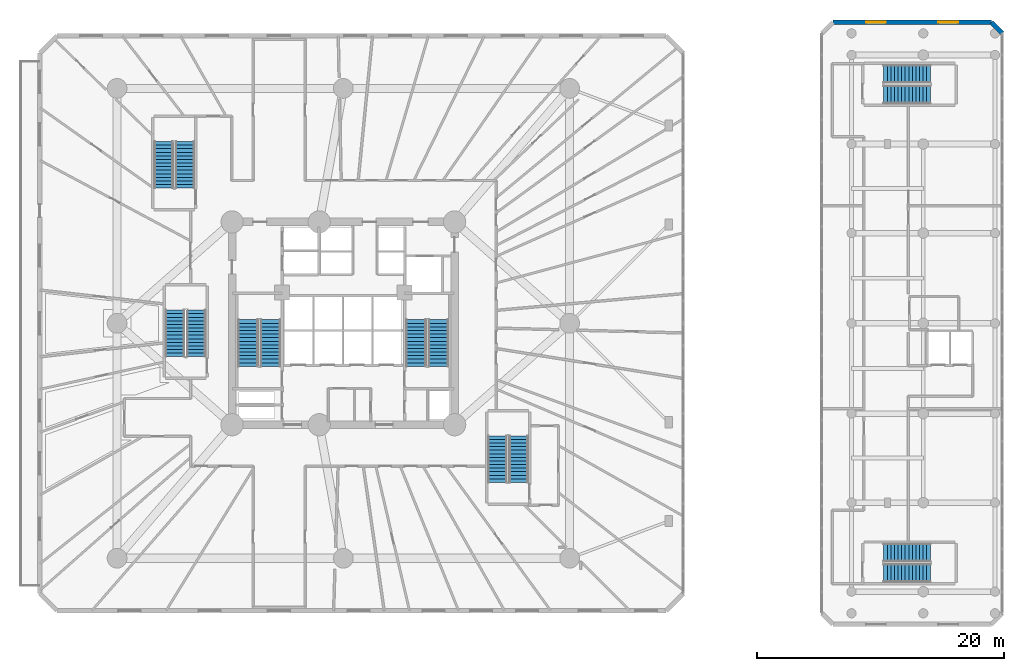
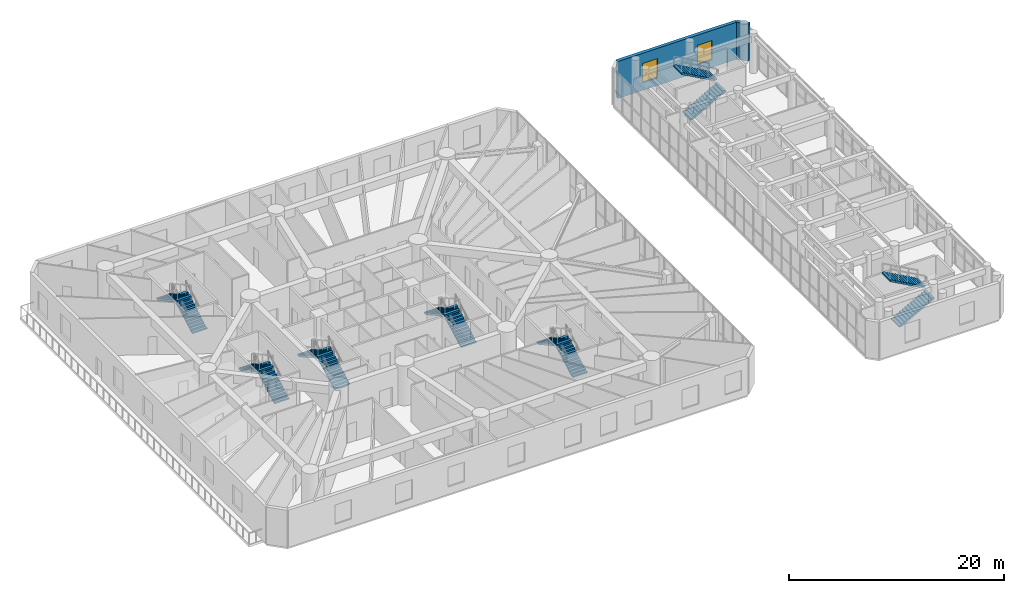
# One storey, part 20 of 26: 14 stair flights, 2 walls, 2 windows, 2 openings, 7 elements without a shape of their own.
"""IFC4 building model written with IfcOpenShell, lengths in metres."""

from ifc_helpers import new_model, si_unit, direction, frame, frame_2d, origin, origin_with_axes, place, context, subcontext, project, spatial, polyline, rectangle, outline, extrude, source, transform, mapped, material, layer, layer_set, type_object, element, fill, aggregate, save


model = new_model("IFC4")

# Units and contexts
model_context = context("Model", 3, precision=1e-05, world=origin(), true_north=direction((0.0, 1.0)))
body_context = subcontext(model_context, "Body", "Model", "MODEL_VIEW")
ifc_project = project(units=[si_unit("LENGTHUNIT", "METRE"), si_unit("AREAUNIT", "SQUARE_METRE"), si_unit("VOLUMEUNIT", "CUBIC_METRE"), si_unit("PLANEANGLEUNIT", "RADIAN"), si_unit("MASSUNIT", "GRAM", prefix="KILO")], contexts=[model_context])

# Site, building, storey
site_placement = place(None, origin())
site = spatial("IfcSite", under=ifc_project, at=site_placement, CompositionType="ELEMENT")
building_placement = place(site_placement, origin())
building = spatial("IfcBuilding", under=site, at=building_placement, Name="Karkom Vertical University and Central Library", CompositionType="ELEMENT")
storey_placement = place(building_placement, frame((0.0, 0.0, 9.0)))
storey = spatial("IfcBuildingStorey", under=building, at=storey_placement, Name="L02", CompositionType="ELEMENT", Elevation=9.0)

# Wall
ifc_material_1 = material(Name="Brick masonry 360mm insulated cavity", Category="masonry")
ifc_layer = layer(ifc_material_1, 0.360107421875)
ifc_layer_set = layer_set([ifc_layer], Name="Brick masonry 360mm insulated cavity")
wall_type = type_object("IfcWallType", Name="ENV-WL-BRK-360", PredefinedType="SOLIDWALL", material=ifc_layer_set)
wall_1_placement = place(storey_placement, frame((81.800048828125, 49.949951171875, 0.0), z_axis=(0.0, 0.0, 1.0), x_axis=(-0.707106781187, 0.707106781187, 0.0)))
element("IfcWall", 1, at=wall_1_placement, inside=storey, type_object=wall_type, Name="Level 02 LIB Terracotta Brick Facade Wall 04", PredefinedType="SOLIDWALL", context=body_context, shape_type="SweptSolid", body=[
    extrude(rectangle(XDim=1.27294921875, YDim=0.360107421875, at=frame_2d((0.636474609375, 0.0))), origin(), (0.0, 0.0, 1.0), 4.199951171875),
])

# Wall, openings, windows
wall_2_placement = place(storey_placement, frame((80.89990234375, 50.85009765625, 0.0), z_axis=(0.0, 0.0, 1.0), x_axis=(-1.0, 0.0, 0.0)))
wall_2 = element("IfcWall", 2, at=wall_2_placement, inside=storey, type_object=wall_type, Name="Level 02 LIB Terracotta Brick Facade Wall 05", PredefinedType="SOLIDWALL", context=body_context, shape_type="SweptSolid", body=[
    extrude(rectangle(XDim=12.7998046875, YDim=0.360107421875, at=frame_2d((6.39990234375, 0.0))), origin(), (0.0, 0.0, 1.0), 4.199951171875),
])
opening_1_placement = place(wall_2_placement, frame((2.675048828125, 0.0, 0.85009765625)))
opening_1 = element("IfcOpeningElement", 3, at=opening_1_placement, cuts=wall_2, Name="Opening WN-02", PredefinedType="OPENING", context=body_context, shape_type="SweptSolid", body=[
    extrude(rectangle(XDim=1.60009765625, YDim=2.199951171875, at=frame_2d((0.800048828125, 1.10009765625))), frame((0.0, 0.18994140625, 0.0), z_axis=(0.0, -1.0, 0.0), x_axis=(1.0, 0.0, 0.0)), (0.0, 0.0, 1.0), 0.380126953125),
])
opening_2_placement = place(wall_2_placement, frame((8.52490234375, 0.0, 0.85009765625)))
opening_2 = element("IfcOpeningElement", 4, at=opening_2_placement, cuts=wall_2, Name="Opening WN-02", PredefinedType="OPENING", context=body_context, shape_type="SweptSolid", body=[
    extrude(rectangle(XDim=1.60009765625, YDim=2.199951171875, at=frame_2d((0.800048828125, 1.10009765625))), frame((0.0, 0.18994140625, 0.0), z_axis=(0.0, -1.0, 0.0), x_axis=(1.0, 0.0, 0.0)), (0.0, 0.0, 1.0), 0.380126953125),
])
ifc_material_2 = material(Name="Aluminium thermal-break frame with solar-control IGU", Category="aluminium")
window_type = type_object("IfcWindowType", Name="ENV-WIN-WN-02", PartitioningType="SINGLE_PANEL", PredefinedType="WINDOW", material=ifc_material_2)
shared_shape = source(origin_with_axes(), body_context, "Body", "SweptSolid", [
    extrude(rectangle(XDim=1.60009765625, YDim=2.199951171875, at=frame_2d((0.800048828125, 1.10009765625))), frame((0.0, 0.030029296875, 0.0), z_axis=(0.0, -1.0, 0.0), x_axis=(1.0, 0.0, 0.0)), (0.0, 0.0, 1.0), 0.06005859375),
])
window_1_placement = place(opening_1_placement, origin())
window_1 = element("IfcWindow", 5, at=window_1_placement, inside=storey, type_object=window_type, Name="Level 02 LIB Punched Window 01", OverallHeight=2.199951171875, OverallWidth=1.60009765625, PartitioningType="SINGLE_PANEL", PredefinedType="WINDOW", context=body_context, shape_type="MappedRepresentation", body=[
    mapped(shared_shape, transform((0.0, 0.0, 0.0), scale=1.0)),
])
fill(opening_1, window_1)
window_2_placement = place(opening_2_placement, origin())
window_2 = element("IfcWindow", 6, at=window_2_placement, inside=storey, type_object=window_type, Name="Level 02 LIB Punched Window 02", OverallHeight=2.199951171875, OverallWidth=1.60009765625, PartitioningType="SINGLE_PANEL", PredefinedType="WINDOW", context=body_context, shape_type="MappedRepresentation", body=[
    mapped(shared_shape, transform((0.0, 0.0, 0.0), scale=1.0)),
])
fill(opening_2, window_2)

# Stair, stair flights
ifc_material_3 = material(Name="Concrete C45/55", Category="concrete")
stair_type_1 = type_object("IfcStairType", Name="INT-STR-ST-LIB", PredefinedType="HALF_TURN_STAIR", material=ifc_material_3)
stair_1_placement = place(storey_placement, origin())
stair_1 = element("IfcStair", 7, at=stair_1_placement, inside=storey, type_object=stair_type_1, Name="Level 02 Central Library South Exit Stair LIB-ST1", PredefinedType="HALF_TURN_STAIR")
stair_flight_type_1 = type_object("IfcStairFlightType", Name="INT-SFL-ST-LIB", PredefinedType="STRAIGHT", material=ifc_material_3)
stair_flight_1_placement = place(storey_placement, frame((72.199951171875, 6.300048828125, 0.0), z_axis=(0.0, 0.0, 1.0), x_axis=(1.0, 0.0, 0.0)))
stair_flight_1 = element("IfcStairFlight", 8, at=stair_flight_1_placement, type_object=stair_flight_type_1, Name="LIB-ST1 flight 1", NumberOfRisers=14, NumberOfTreads=13, PredefinedType="STRAIGHT", RiserHeight=0.160714286, TreadLength=0.29, context=body_context, shape_type="SweptSolid", body=[
    extrude(outline(polyline([(0.0, 0.0), (0.0, 0.16064453125), (0.2900390625, 0.16064453125), (0.2900390625, 0.321533203125), (0.580078125, 0.321533203125), (0.580078125, 0.482177734375), (0.8701171875, 0.482177734375), (0.8701171875, 0.642822265625), (1.159912109375, 0.642822265625), (1.159912109375, 0.803466796875), (1.449951171875, 0.803466796875), (1.449951171875, 0.96435546875), (1.739990234375, 0.96435546875), (1.739990234375, 1.125), (2.030029296875, 1.125), (2.030029296875, 1.28564453125), (2.320068359375, 1.28564453125), (2.320068359375, 1.446533203125), (2.610107421875, 1.446533203125), (2.610107421875, 1.607177734375), (2.89990234375, 1.607177734375), (2.89990234375, 1.767822265625), (3.18994140625, 1.767822265625), (3.18994140625, 1.928466796875), (3.47998046875, 1.928466796875), (3.47998046875, 2.08935546875), (3.77001953125, 2.08935546875), (3.77001953125, 2.25), (3.77001953125, 1.91796875), (0.309326171875, 0.0), (0.0, 0.0)])), frame((0.0, 0.75, 0.0), z_axis=(0.0, -1.0, 0.0), x_axis=(1.0, 0.0, 0.0)), (0.0, 0.0, 1.0), 1.5),
])
stair_flight_2_placement = place(storey_placement, frame((75.969970703125, 7.9599609375, 2.25), z_axis=(0.0, 0.0, 1.0), x_axis=(-1.0, 0.0, 0.0)))
stair_flight_2 = element("IfcStairFlight", 9, at=stair_flight_2_placement, type_object=stair_flight_type_1, Name="LIB-ST1 flight 2", NumberOfRisers=14, NumberOfTreads=13, PredefinedType="STRAIGHT", RiserHeight=0.160714286, TreadLength=0.29, context=body_context, shape_type="SweptSolid", body=[
    extrude(outline(polyline([(0.0, 0.0), (0.0, 0.16064453125), (0.2900390625, 0.16064453125), (0.2900390625, 0.321533203125), (0.580078125, 0.321533203125), (0.580078125, 0.482177734375), (0.8701171875, 0.482177734375), (0.8701171875, 0.642822265625), (1.159912109375, 0.642822265625), (1.159912109375, 0.803466796875), (1.449951171875, 0.803466796875), (1.449951171875, 0.96435546875), (1.739990234375, 0.96435546875), (1.739990234375, 1.125), (2.030029296875, 1.125), (2.030029296875, 1.28564453125), (2.320068359375, 1.28564453125), (2.320068359375, 1.446533203125), (2.610107421875, 1.446533203125), (2.610107421875, 1.607177734375), (2.89990234375, 1.607177734375), (2.89990234375, 1.767822265625), (3.18994140625, 1.767822265625), (3.18994140625, 1.928466796875), (3.47998046875, 1.928466796875), (3.47998046875, 2.08935546875), (3.77001953125, 2.08935546875), (3.77001953125, 2.25), (3.77001953125, 1.91796875), (0.309326171875, 0.0), (0.0, 0.0)])), frame((0.0, 0.75, 0.0), z_axis=(0.0, -1.0, 0.0), x_axis=(1.0, 0.0, 0.0)), (0.0, 0.0, 1.0), 1.5),
])
aggregate(stair_1, [stair_flight_1, stair_flight_2])

stair_2_placement = place(storey_placement, origin())
stair_2 = element("IfcStair", 10, at=stair_2_placement, inside=storey, type_object=stair_type_1, Name="Level 02 Central Library North Exit Stair LIB-ST2", PredefinedType="HALF_TURN_STAIR")
stair_flight_3_placement = place(storey_placement, frame((72.199951171875, 45.0, 0.0), z_axis=(0.0, 0.0, 1.0), x_axis=(1.0, 0.0, 0.0)))
stair_flight_3 = element("IfcStairFlight", 11, at=stair_flight_3_placement, type_object=stair_flight_type_1, Name="LIB-ST2 flight 1", NumberOfRisers=14, NumberOfTreads=13, PredefinedType="STRAIGHT", RiserHeight=0.160714286, TreadLength=0.29, context=body_context, shape_type="SweptSolid", body=[
    extrude(outline(polyline([(0.0, 0.0), (0.0, 0.16064453125), (0.2900390625, 0.16064453125), (0.2900390625, 0.321533203125), (0.580078125, 0.321533203125), (0.580078125, 0.482177734375), (0.8701171875, 0.482177734375), (0.8701171875, 0.642822265625), (1.159912109375, 0.642822265625), (1.159912109375, 0.803466796875), (1.449951171875, 0.803466796875), (1.449951171875, 0.96435546875), (1.739990234375, 0.96435546875), (1.739990234375, 1.125), (2.030029296875, 1.125), (2.030029296875, 1.28564453125), (2.320068359375, 1.28564453125), (2.320068359375, 1.446533203125), (2.610107421875, 1.446533203125), (2.610107421875, 1.607177734375), (2.89990234375, 1.607177734375), (2.89990234375, 1.767822265625), (3.18994140625, 1.767822265625), (3.18994140625, 1.928466796875), (3.47998046875, 1.928466796875), (3.47998046875, 2.08935546875), (3.77001953125, 2.08935546875), (3.77001953125, 2.25), (3.77001953125, 1.91796875), (0.309326171875, 0.0), (0.0, 0.0)])), frame((0.0, 0.75, 0.0), z_axis=(0.0, -1.0, 0.0), x_axis=(1.0, 0.0, 0.0)), (0.0, 0.0, 1.0), 1.5),
])
stair_flight_4_placement = place(storey_placement, frame((75.969970703125, 46.659912109375, 2.25), z_axis=(0.0, 0.0, 1.0), x_axis=(-1.0, 0.0, 0.0)))
stair_flight_4 = element("IfcStairFlight", 12, at=stair_flight_4_placement, type_object=stair_flight_type_1, Name="LIB-ST2 flight 2", NumberOfRisers=14, NumberOfTreads=13, PredefinedType="STRAIGHT", RiserHeight=0.160714286, TreadLength=0.29, context=body_context, shape_type="SweptSolid", body=[
    extrude(outline(polyline([(0.0, 0.0), (0.0, 0.16064453125), (0.2900390625, 0.16064453125), (0.2900390625, 0.321533203125), (0.580078125, 0.321533203125), (0.580078125, 0.482177734375), (0.8701171875, 0.482177734375), (0.8701171875, 0.642822265625), (1.159912109375, 0.642822265625), (1.159912109375, 0.803466796875), (1.449951171875, 0.803466796875), (1.449951171875, 0.96435546875), (1.739990234375, 0.96435546875), (1.739990234375, 1.125), (2.030029296875, 1.125), (2.030029296875, 1.28564453125), (2.320068359375, 1.28564453125), (2.320068359375, 1.446533203125), (2.610107421875, 1.446533203125), (2.610107421875, 1.607177734375), (2.89990234375, 1.607177734375), (2.89990234375, 1.767822265625), (3.18994140625, 1.767822265625), (3.18994140625, 1.928466796875), (3.47998046875, 1.928466796875), (3.47998046875, 2.08935546875), (3.77001953125, 2.08935546875), (3.77001953125, 2.25), (3.77001953125, 1.91796875), (0.309326171875, 0.0), (0.0, 0.0)])), frame((0.0, 0.75, 0.0), z_axis=(0.0, -1.0, 0.0), x_axis=(1.0, 0.0, 0.0)), (0.0, 0.0, 1.0), 1.5),
])
aggregate(stair_2, [stair_flight_3, stair_flight_4])

stair_type_2 = type_object("IfcStairType", Name="INT-STR-ST-MAIN", PredefinedType="HALF_TURN_STAIR", material=ifc_material_3)
stair_3_placement = place(storey_placement, origin())
stair_3 = element("IfcStair", 13, at=stair_3_placement, inside=storey, type_object=stair_type_2, Name="Level 02 Tower Protected Exit Stair ST-1", PredefinedType="HALF_TURN_STAIR")
stair_flight_type_2 = type_object("IfcStairFlightType", Name="INT-SFL-ST-MAIN", PredefinedType="STRAIGHT", material=ifc_material_3)
stair_flight_5_placement = place(storey_placement, frame((22.614990234375, 23.02001953125, 0.0), z_axis=(0.0, 0.0, 1.0), x_axis=(0.0, 1.0, 0.0)))
stair_flight_5 = element("IfcStairFlight", 14, at=stair_flight_5_placement, type_object=stair_flight_type_2, Name="ST-1 flight 1", NumberOfRisers=14, NumberOfTreads=13, PredefinedType="STRAIGHT", RiserHeight=0.160714286, TreadLength=0.29, context=body_context, shape_type="SweptSolid", body=[
    extrude(outline(polyline([(0.0, 0.0), (0.0, 0.16064453125), (0.2900390625, 0.16064453125), (0.2900390625, 0.321533203125), (0.580078125, 0.321533203125), (0.580078125, 0.482177734375), (0.8701171875, 0.482177734375), (0.8701171875, 0.642822265625), (1.159912109375, 0.642822265625), (1.159912109375, 0.803466796875), (1.449951171875, 0.803466796875), (1.449951171875, 0.96435546875), (1.739990234375, 0.96435546875), (1.739990234375, 1.125), (2.030029296875, 1.125), (2.030029296875, 1.28564453125), (2.320068359375, 1.28564453125), (2.320068359375, 1.446533203125), (2.610107421875, 1.446533203125), (2.610107421875, 1.607177734375), (2.89990234375, 1.607177734375), (2.89990234375, 1.767822265625), (3.18994140625, 1.767822265625), (3.18994140625, 1.928466796875), (3.47998046875, 1.928466796875), (3.47998046875, 2.08935546875), (3.77001953125, 2.08935546875), (3.77001953125, 2.25), (3.77001953125, 1.91796875), (0.309326171875, 0.0), (0.0, 0.0)])), frame((0.0, 0.824951171875, 0.0), z_axis=(0.0, -1.0, 0.0), x_axis=(1.0, 0.0, 0.0)), (0.0, 0.0, 1.0), 1.64990234375),
])
stair_flight_6_placement = place(storey_placement, frame((20.804931640625, 26.7900390625, 2.25), z_axis=(0.0, 0.0, 1.0), x_axis=(0.0, -1.0, 0.0)))
stair_flight_6 = element("IfcStairFlight", 15, at=stair_flight_6_placement, type_object=stair_flight_type_2, Name="ST-1 flight 2", NumberOfRisers=14, NumberOfTreads=13, PredefinedType="STRAIGHT", RiserHeight=0.160714286, TreadLength=0.29, context=body_context, shape_type="SweptSolid", body=[
    extrude(outline(polyline([(0.0, 0.0), (0.0, 0.16064453125), (0.2900390625, 0.16064453125), (0.2900390625, 0.321533203125), (0.580078125, 0.321533203125), (0.580078125, 0.482177734375), (0.8701171875, 0.482177734375), (0.8701171875, 0.642822265625), (1.159912109375, 0.642822265625), (1.159912109375, 0.803466796875), (1.449951171875, 0.803466796875), (1.449951171875, 0.96435546875), (1.739990234375, 0.96435546875), (1.739990234375, 1.125), (2.030029296875, 1.125), (2.030029296875, 1.28564453125), (2.320068359375, 1.28564453125), (2.320068359375, 1.446533203125), (2.610107421875, 1.446533203125), (2.610107421875, 1.607177734375), (2.89990234375, 1.607177734375), (2.89990234375, 1.767822265625), (3.18994140625, 1.767822265625), (3.18994140625, 1.928466796875), (3.47998046875, 1.928466796875), (3.47998046875, 2.08935546875), (3.77001953125, 2.08935546875), (3.77001953125, 2.25), (3.77001953125, 1.91796875), (0.309326171875, 0.0), (0.0, 0.0)])), frame((0.0, 0.824951171875, 0.0), z_axis=(0.0, -1.0, 0.0), x_axis=(1.0, 0.0, 0.0)), (0.0, 0.0, 1.0), 1.64990234375),
])
aggregate(stair_3, [stair_flight_5, stair_flight_6])

stair_4_placement = place(storey_placement, origin())
stair_4 = element("IfcStair", 16, at=stair_4_placement, inside=storey, type_object=stair_type_2, Name="Level 02 Tower Protected Exit Stair ST-2", PredefinedType="HALF_TURN_STAIR")
stair_flight_7_placement = place(storey_placement, frame((36.195068359375, 23.02001953125, 0.0), z_axis=(0.0, 0.0, 1.0), x_axis=(0.0, 1.0, 0.0)))
stair_flight_7 = element("IfcStairFlight", 17, at=stair_flight_7_placement, type_object=stair_flight_type_2, Name="ST-2 flight 1", NumberOfRisers=14, NumberOfTreads=13, PredefinedType="STRAIGHT", RiserHeight=0.160714286, TreadLength=0.29, context=body_context, shape_type="SweptSolid", body=[
    extrude(outline(polyline([(0.0, 0.0), (0.0, 0.16064453125), (0.2900390625, 0.16064453125), (0.2900390625, 0.321533203125), (0.580078125, 0.321533203125), (0.580078125, 0.482177734375), (0.8701171875, 0.482177734375), (0.8701171875, 0.642822265625), (1.159912109375, 0.642822265625), (1.159912109375, 0.803466796875), (1.449951171875, 0.803466796875), (1.449951171875, 0.96435546875), (1.739990234375, 0.96435546875), (1.739990234375, 1.125), (2.030029296875, 1.125), (2.030029296875, 1.28564453125), (2.320068359375, 1.28564453125), (2.320068359375, 1.446533203125), (2.610107421875, 1.446533203125), (2.610107421875, 1.607177734375), (2.89990234375, 1.607177734375), (2.89990234375, 1.767822265625), (3.18994140625, 1.767822265625), (3.18994140625, 1.928466796875), (3.47998046875, 1.928466796875), (3.47998046875, 2.08935546875), (3.77001953125, 2.08935546875), (3.77001953125, 2.25), (3.77001953125, 1.91796875), (0.309326171875, 0.0), (0.0, 0.0)])), frame((0.0, 0.824951171875, 0.0), z_axis=(0.0, -1.0, 0.0), x_axis=(1.0, 0.0, 0.0)), (0.0, 0.0, 1.0), 1.64990234375),
])
stair_flight_8_placement = place(storey_placement, frame((34.385009765625, 26.7900390625, 2.25), z_axis=(0.0, 0.0, 1.0), x_axis=(0.0, -1.0, 0.0)))
stair_flight_8 = element("IfcStairFlight", 18, at=stair_flight_8_placement, type_object=stair_flight_type_2, Name="ST-2 flight 2", NumberOfRisers=14, NumberOfTreads=13, PredefinedType="STRAIGHT", RiserHeight=0.160714286, TreadLength=0.29, context=body_context, shape_type="SweptSolid", body=[
    extrude(outline(polyline([(0.0, 0.0), (0.0, 0.16064453125), (0.2900390625, 0.16064453125), (0.2900390625, 0.321533203125), (0.580078125, 0.321533203125), (0.580078125, 0.482177734375), (0.8701171875, 0.482177734375), (0.8701171875, 0.642822265625), (1.159912109375, 0.642822265625), (1.159912109375, 0.803466796875), (1.449951171875, 0.803466796875), (1.449951171875, 0.96435546875), (1.739990234375, 0.96435546875), (1.739990234375, 1.125), (2.030029296875, 1.125), (2.030029296875, 1.28564453125), (2.320068359375, 1.28564453125), (2.320068359375, 1.446533203125), (2.610107421875, 1.446533203125), (2.610107421875, 1.607177734375), (2.89990234375, 1.607177734375), (2.89990234375, 1.767822265625), (3.18994140625, 1.767822265625), (3.18994140625, 1.928466796875), (3.47998046875, 1.928466796875), (3.47998046875, 2.08935546875), (3.77001953125, 2.08935546875), (3.77001953125, 2.25), (3.77001953125, 1.91796875), (0.309326171875, 0.0), (0.0, 0.0)])), frame((0.0, 0.824951171875, 0.0), z_axis=(0.0, -1.0, 0.0), x_axis=(1.0, 0.0, 0.0)), (0.0, 0.0, 1.0), 1.64990234375),
])
aggregate(stair_4, [stair_flight_7, stair_flight_8])

stair_type_3 = type_object("IfcStairType", Name="INT-STR-ST-SEC", PredefinedType="HALF_TURN_STAIR", material=ifc_material_3)
stair_5_placement = place(storey_placement, origin())
stair_5 = element("IfcStair", 19, at=stair_5_placement, inside=storey, type_object=stair_type_3, Name="Level 02 Academic Zone Protected Exit Stair ST-3", PredefinedType="HALF_TURN_STAIR")
stair_flight_type_3 = type_object("IfcStairFlightType", Name="INT-SFL-ST-SEC", PredefinedType="STRAIGHT", material=ifc_material_3)
stair_flight_9_placement = place(storey_placement, frame((16.60498046875, 23.800048828125, 0.0), z_axis=(0.0, 0.0, 1.0), x_axis=(0.0, 1.0, 0.0)))
stair_flight_9 = element("IfcStairFlight", 20, at=stair_flight_9_placement, type_object=stair_flight_type_3, Name="ST-3 flight 1", NumberOfRisers=14, NumberOfTreads=13, PredefinedType="STRAIGHT", RiserHeight=0.160714286, TreadLength=0.29, context=body_context, shape_type="SweptSolid", body=[
    extrude(outline(polyline([(0.0, 0.0), (0.0, 0.16064453125), (0.2900390625, 0.16064453125), (0.2900390625, 0.321533203125), (0.580078125, 0.321533203125), (0.580078125, 0.482177734375), (0.8701171875, 0.482177734375), (0.8701171875, 0.642822265625), (1.159912109375, 0.642822265625), (1.159912109375, 0.803466796875), (1.449951171875, 0.803466796875), (1.449951171875, 0.96435546875), (1.739990234375, 0.96435546875), (1.739990234375, 1.125), (2.030029296875, 1.125), (2.030029296875, 1.28564453125), (2.320068359375, 1.28564453125), (2.320068359375, 1.446533203125), (2.610107421875, 1.446533203125), (2.610107421875, 1.607177734375), (2.89990234375, 1.607177734375), (2.89990234375, 1.767822265625), (3.18994140625, 1.767822265625), (3.18994140625, 1.928466796875), (3.47998046875, 1.928466796875), (3.47998046875, 2.08935546875), (3.77001953125, 2.08935546875), (3.77001953125, 2.25), (3.77001953125, 1.91796875), (0.309326171875, 0.0), (0.0, 0.0)])), frame((0.0, 0.77490234375, 0.0), z_axis=(0.0, -1.0, 0.0), x_axis=(1.0, 0.0, 0.0)), (0.0, 0.0, 1.0), 1.550048828125),
])
stair_flight_10_placement = place(storey_placement, frame((14.89501953125, 27.570068359375, 2.25), z_axis=(0.0, 0.0, 1.0), x_axis=(0.0, -1.0, 0.0)))
stair_flight_10 = element("IfcStairFlight", 21, at=stair_flight_10_placement, type_object=stair_flight_type_3, Name="ST-3 flight 2", NumberOfRisers=14, NumberOfTreads=13, PredefinedType="STRAIGHT", RiserHeight=0.160714286, TreadLength=0.29, context=body_context, shape_type="SweptSolid", body=[
    extrude(outline(polyline([(0.0, 0.0), (0.0, 0.16064453125), (0.2900390625, 0.16064453125), (0.2900390625, 0.321533203125), (0.580078125, 0.321533203125), (0.580078125, 0.482177734375), (0.8701171875, 0.482177734375), (0.8701171875, 0.642822265625), (1.159912109375, 0.642822265625), (1.159912109375, 0.803466796875), (1.449951171875, 0.803466796875), (1.449951171875, 0.96435546875), (1.739990234375, 0.96435546875), (1.739990234375, 1.125), (2.030029296875, 1.125), (2.030029296875, 1.28564453125), (2.320068359375, 1.28564453125), (2.320068359375, 1.446533203125), (2.610107421875, 1.446533203125), (2.610107421875, 1.607177734375), (2.89990234375, 1.607177734375), (2.89990234375, 1.767822265625), (3.18994140625, 1.767822265625), (3.18994140625, 1.928466796875), (3.47998046875, 1.928466796875), (3.47998046875, 2.08935546875), (3.77001953125, 2.08935546875), (3.77001953125, 2.25), (3.77001953125, 1.91796875), (0.309326171875, 0.0), (0.0, 0.0)])), frame((0.0, 0.77490234375, 0.0), z_axis=(0.0, -1.0, 0.0), x_axis=(1.0, 0.0, 0.0)), (0.0, 0.0, 1.0), 1.550048828125),
])
aggregate(stair_5, [stair_flight_9, stair_flight_10])

stair_6_placement = place(storey_placement, origin())
stair_6 = element("IfcStair", 22, at=stair_6_placement, inside=storey, type_object=stair_type_3, Name="Level 02 Podium Terraced Feature Stair POD-ST1", PredefinedType="HALF_TURN_STAIR")
stair_flight_11_placement = place(storey_placement, frame((42.68505859375, 13.6298828125, 0.0), z_axis=(0.0, 0.0, 1.0), x_axis=(0.0, 1.0, 0.0)))
stair_flight_11 = element("IfcStairFlight", 23, at=stair_flight_11_placement, type_object=stair_flight_type_3, Name="POD-ST1 flight 1", NumberOfRisers=14, NumberOfTreads=13, PredefinedType="STRAIGHT", RiserHeight=0.160714286, TreadLength=0.29, context=body_context, shape_type="SweptSolid", body=[
    extrude(outline(polyline([(0.0, 0.0), (0.0, 0.16064453125), (0.2900390625, 0.16064453125), (0.2900390625, 0.321533203125), (0.580078125, 0.321533203125), (0.580078125, 0.482177734375), (0.8701171875, 0.482177734375), (0.8701171875, 0.642822265625), (1.159912109375, 0.642822265625), (1.159912109375, 0.803466796875), (1.449951171875, 0.803466796875), (1.449951171875, 0.96435546875), (1.739990234375, 0.96435546875), (1.739990234375, 1.125), (2.030029296875, 1.125), (2.030029296875, 1.28564453125), (2.320068359375, 1.28564453125), (2.320068359375, 1.446533203125), (2.610107421875, 1.446533203125), (2.610107421875, 1.607177734375), (2.89990234375, 1.607177734375), (2.89990234375, 1.767822265625), (3.18994140625, 1.767822265625), (3.18994140625, 1.928466796875), (3.47998046875, 1.928466796875), (3.47998046875, 2.08935546875), (3.77001953125, 2.08935546875), (3.77001953125, 2.25), (3.77001953125, 1.91796875), (0.309326171875, 0.0), (0.0, 0.0)])), frame((0.0, 0.77490234375, 0.0), z_axis=(0.0, -1.0, 0.0), x_axis=(1.0, 0.0, 0.0)), (0.0, 0.0, 1.0), 1.550048828125),
])
stair_flight_12_placement = place(storey_placement, frame((40.97509765625, 17.39990234375, 2.25), z_axis=(0.0, 0.0, 1.0), x_axis=(0.0, -1.0, 0.0)))
stair_flight_12 = element("IfcStairFlight", 24, at=stair_flight_12_placement, type_object=stair_flight_type_3, Name="POD-ST1 flight 2", NumberOfRisers=14, NumberOfTreads=13, PredefinedType="STRAIGHT", RiserHeight=0.160714286, TreadLength=0.29, context=body_context, shape_type="SweptSolid", body=[
    extrude(outline(polyline([(0.0, 0.0), (0.0, 0.16064453125), (0.2900390625, 0.16064453125), (0.2900390625, 0.321533203125), (0.580078125, 0.321533203125), (0.580078125, 0.482177734375), (0.8701171875, 0.482177734375), (0.8701171875, 0.642822265625), (1.159912109375, 0.642822265625), (1.159912109375, 0.803466796875), (1.449951171875, 0.803466796875), (1.449951171875, 0.96435546875), (1.739990234375, 0.96435546875), (1.739990234375, 1.125), (2.030029296875, 1.125), (2.030029296875, 1.28564453125), (2.320068359375, 1.28564453125), (2.320068359375, 1.446533203125), (2.610107421875, 1.446533203125), (2.610107421875, 1.607177734375), (2.89990234375, 1.607177734375), (2.89990234375, 1.767822265625), (3.18994140625, 1.767822265625), (3.18994140625, 1.928466796875), (3.47998046875, 1.928466796875), (3.47998046875, 2.08935546875), (3.77001953125, 2.08935546875), (3.77001953125, 2.25), (3.77001953125, 1.91796875), (0.309326171875, 0.0), (0.0, 0.0)])), frame((0.0, 0.77490234375, 0.0), z_axis=(0.0, -1.0, 0.0), x_axis=(1.0, 0.0, 0.0)), (0.0, 0.0, 1.0), 1.550048828125),
])
aggregate(stair_6, [stair_flight_11, stair_flight_12])

stair_7_placement = place(storey_placement, origin())
stair_7 = element("IfcStair", 25, at=stair_7_placement, inside=storey, type_object=stair_type_3, Name="Level 02 Podium Gallery Stair POD-ST2", PredefinedType="HALF_TURN_STAIR")
stair_flight_13_placement = place(storey_placement, frame((15.68505859375, 37.429931640625, 0.0), z_axis=(0.0, 0.0, 1.0), x_axis=(0.0, 1.0, 0.0)))
stair_flight_13 = element("IfcStairFlight", 26, at=stair_flight_13_placement, type_object=stair_flight_type_3, Name="POD-ST2 flight 1", NumberOfRisers=14, NumberOfTreads=13, PredefinedType="STRAIGHT", RiserHeight=0.160714286, TreadLength=0.29, context=body_context, shape_type="SweptSolid", body=[
    extrude(outline(polyline([(0.0, 0.0), (0.0, 0.16064453125), (0.2900390625, 0.16064453125), (0.2900390625, 0.321533203125), (0.580078125, 0.321533203125), (0.580078125, 0.482177734375), (0.8701171875, 0.482177734375), (0.8701171875, 0.642822265625), (1.159912109375, 0.642822265625), (1.159912109375, 0.803466796875), (1.449951171875, 0.803466796875), (1.449951171875, 0.96435546875), (1.739990234375, 0.96435546875), (1.739990234375, 1.125), (2.030029296875, 1.125), (2.030029296875, 1.28564453125), (2.320068359375, 1.28564453125), (2.320068359375, 1.446533203125), (2.610107421875, 1.446533203125), (2.610107421875, 1.607177734375), (2.89990234375, 1.607177734375), (2.89990234375, 1.767822265625), (3.18994140625, 1.767822265625), (3.18994140625, 1.928466796875), (3.47998046875, 1.928466796875), (3.47998046875, 2.08935546875), (3.77001953125, 2.08935546875), (3.77001953125, 2.25), (3.77001953125, 1.91796875), (0.309326171875, 0.0), (0.0, 0.0)])), frame((0.0, 0.77490234375, 0.0), z_axis=(0.0, -1.0, 0.0), x_axis=(1.0, 0.0, 0.0)), (0.0, 0.0, 1.0), 1.550048828125),
])
stair_flight_14_placement = place(storey_placement, frame((13.97509765625, 41.199951171875, 2.25), z_axis=(0.0, 0.0, 1.0), x_axis=(0.0, -1.0, 0.0)))
stair_flight_14 = element("IfcStairFlight", 27, at=stair_flight_14_placement, type_object=stair_flight_type_3, Name="POD-ST2 flight 2", NumberOfRisers=14, NumberOfTreads=13, PredefinedType="STRAIGHT", RiserHeight=0.160714286, TreadLength=0.29, context=body_context, shape_type="SweptSolid", body=[
    extrude(outline(polyline([(0.0, 0.0), (0.0, 0.16064453125), (0.2900390625, 0.16064453125), (0.2900390625, 0.321533203125), (0.580078125, 0.321533203125), (0.580078125, 0.482177734375), (0.8701171875, 0.482177734375), (0.8701171875, 0.642822265625), (1.159912109375, 0.642822265625), (1.159912109375, 0.803466796875), (1.449951171875, 0.803466796875), (1.449951171875, 0.96435546875), (1.739990234375, 0.96435546875), (1.739990234375, 1.125), (2.030029296875, 1.125), (2.030029296875, 1.28564453125), (2.320068359375, 1.28564453125), (2.320068359375, 1.446533203125), (2.610107421875, 1.446533203125), (2.610107421875, 1.607177734375), (2.89990234375, 1.607177734375), (2.89990234375, 1.767822265625), (3.18994140625, 1.767822265625), (3.18994140625, 1.928466796875), (3.47998046875, 1.928466796875), (3.47998046875, 2.08935546875), (3.77001953125, 2.08935546875), (3.77001953125, 2.25), (3.77001953125, 1.91796875), (0.309326171875, 0.0), (0.0, 0.0)])), frame((0.0, 0.77490234375, 0.0), z_axis=(0.0, -1.0, 0.0), x_axis=(1.0, 0.0, 0.0)), (0.0, 0.0, 1.0), 1.550048828125),
])
aggregate(stair_7, [stair_flight_13, stair_flight_14])

save(model, "model.ifc")
